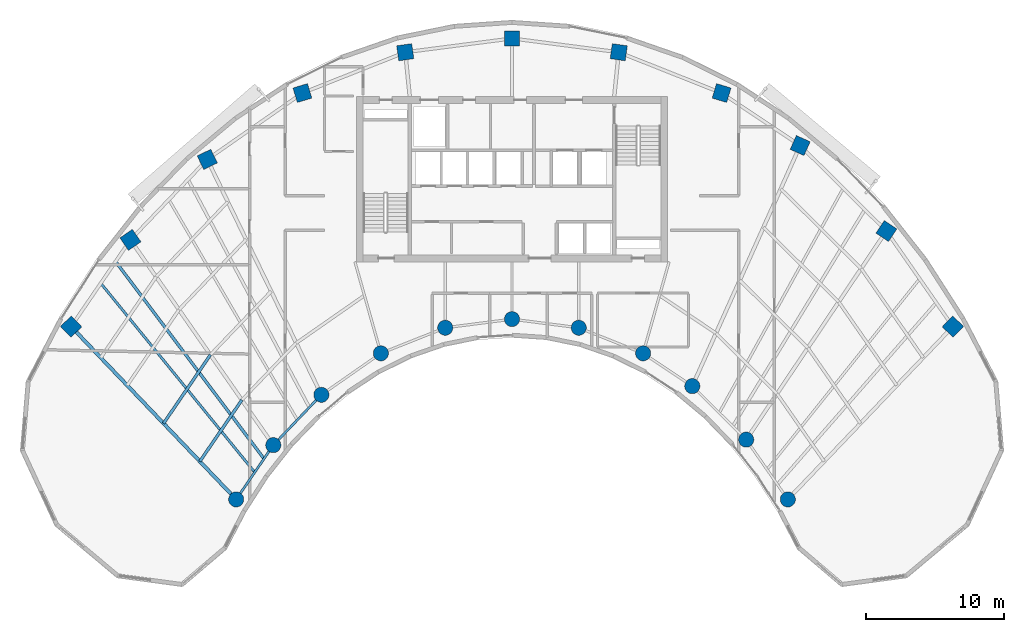
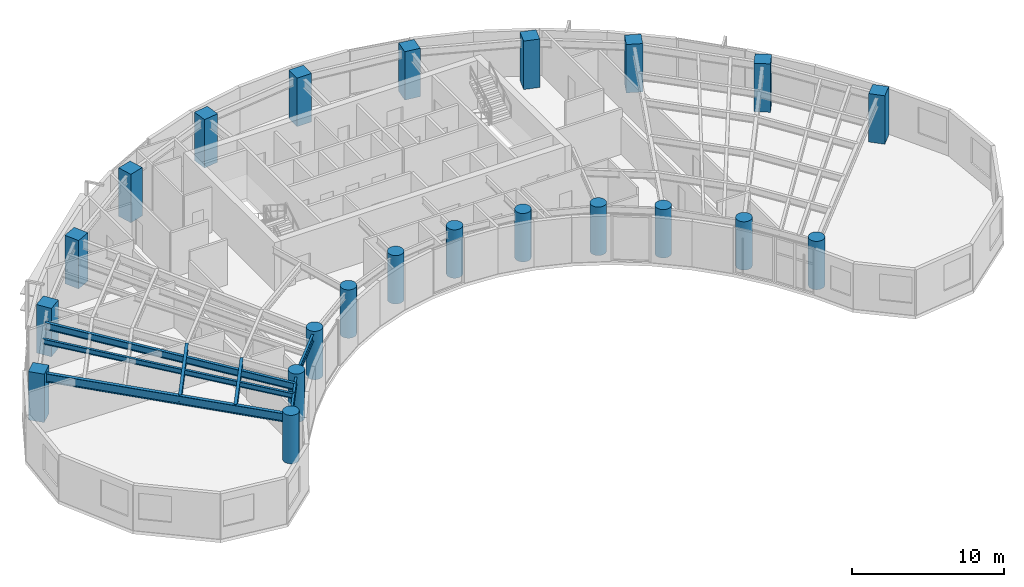
# One storey, part 1 of 13: 22 columns, 7 beams.
"""IFC4 building model written with IfcOpenShell, lengths in metres."""

from ifc_helpers import new_model, si_unit, direction, frame, origin, origin_2d, place, context, subcontext, project, spatial, rectangle, circle, i_section, extrude, source, transform, mapped, material, material_profile, profile_set, type_object, type_shapes, element, save


model = new_model("IFC4")

# Units and contexts
model_context = context("Model", 3, precision=1e-05, world=origin(), true_north=direction((0.0, 1.0)))
body_context = subcontext(model_context, "Body", "Model", "MODEL_VIEW")
ifc_project = project(units=[si_unit("LENGTHUNIT", "METRE"), si_unit("AREAUNIT", "SQUARE_METRE"), si_unit("VOLUMEUNIT", "CUBIC_METRE"), si_unit("PLANEANGLEUNIT", "RADIAN"), si_unit("MASSUNIT", "GRAM", prefix="KILO")], contexts=[model_context])

# Site, building, storey
site_placement = place(None, origin())
site = spatial("IfcSite", under=ifc_project, at=site_placement, CompositionType="ELEMENT")
building_placement = place(site_placement, origin())
building = spatial("IfcBuilding", under=site, at=building_placement, Name="Breltana Convention Tower", CompositionType="ELEMENT")
storey_placement = place(building_placement, frame((0.0, 0.0, 170.10009765625)))
storey = spatial("IfcBuildingStorey", under=building, at=storey_placement, Name="L41", CompositionType="ELEMENT", Elevation=170.10009765625)

# Columns
ifc_material_1 = material(Name="Concrete C60/75", Category="concrete")
ifc_material_profile_1 = material_profile(ifc_material_1, rectangle(XDim=1.10009765625, YDim=1.10009765625, at=origin_2d()), Name="RC-COL-1100X1100")
ifc_profile_set_1 = profile_set([ifc_material_profile_1], Name="Concrete C60/75")
column_type_1 = type_object("IfcColumnType", Name="COL-RC-1100", PredefinedType="COLUMN", material=ifc_profile_set_1)
shared_shape_1 = source(origin(), body_context, "Body", "SweptSolid", [
    extrude(rectangle(XDim=1.10009765625, YDim=1.10009765625, at=origin_2d()), origin(), (0.0, 0.0, 1.0), 3.89990234375),
])
for number, where, z_axis, x_axis, name in (
    (1, (16.0068359375, 55.494384765625, 0.0), (0.0, 0.0, 1.0), (-0.690756218984, 0.723087716626, 0.0), "L41 Tower Column R01-OUT"),
    (2, (20.310791015625, 61.78857421875, 0.0), (0.0, 0.0, 1.0), (-0.571143442153, 0.820850271661, 0.0), "L41 Tower Column R02-OUT"),
    (3, (25.8876953125, 67.626953125, 0.0), (0.0, 0.0, 1.0), (-0.436173672171, 0.899862504889, 0.0), "L41 Tower Column R03-OUT"),
    (4, (32.791015625, 72.4423828125, 0.0), (0.0, 0.0, 1.0), (-0.288697611798, 0.957420330337, 0.0), "L41 Tower Column R04-OUT"),
    (5, (40.253173828125, 75.404296875, 0.0), (0.0, 0.0, 1.0), (-0.143492621991, 0.98965138682, 0.0), "L41 Tower Column R05-OUT"),
    (6, (48.0, 76.404052734375, 0.0), (0.0, 0.0, 1.0), (0.0, 1.0, 0.0), "L41 Tower Column R06-OUT"),
    (7, (55.746826171875, 75.404296875, 0.0), (0.0, 0.0, 1.0), (0.143492621991, 0.98965138682, 0.0), "L41 Tower Column R07-OUT"),
    (8, (63.208984375, 72.4423828125, 0.0), (0.0, 0.0, 1.0), (0.288697611798, 0.957420330337, 0.0), "L41 Tower Column R08-OUT"),
    (9, (68.910400390625, 68.63330078125, 0.0), (0.0, 0.0, 1.0), (0.409126902895, 0.912477494148, 0.0), "L41 Tower Column R09-OUT"),
    (10, (75.166748046875, 62.43017578125, 0.0), (0.0, 0.0, 1.0), (0.55774510898, 0.830012285095, 0.0), "L41 Tower Column R10-OUT"),
    (11, (79.9931640625, 55.494384765625, 0.0), (0.0, 0.0, 1.0), (0.690756218984, 0.723087716626, 0.0), "L41 Tower Column R11-OUT"),
):
    element("IfcColumn", number, at=place(storey_placement, frame(where, z_axis=z_axis, x_axis=x_axis)), inside=storey, type_object=column_type_1, Name=name, PredefinedType="COLUMN", context=body_context, shape_type="MappedRepresentation", body=[
        mapped(shared_shape_1, transform((0.0, 0.0, 0.0), scale=1.0)),
    ])
ifc_material_2 = material(Name="Concrete C50/60", Category="concrete")
ifc_material_profile_2 = material_profile(ifc_material_2, circle(Radius=0.550048828125, at=origin_2d()), Name="RC-COL-D1100")
ifc_profile_set_2 = profile_set([ifc_material_profile_2], Name="Concrete C50/60")
column_type_2 = type_object("IfcColumnType", Name="COL-RC-D1100", PredefinedType="COLUMN", material=ifc_profile_set_2)
shared_shape_2 = source(origin(), body_context, "Body", "SweptSolid", [
    extrude(circle(Radius=0.550048828125, at=origin_2d()), origin(), (0.0, 0.0, 1.0), 3.89990234375),
])
for number, where, z_axis, x_axis, name in (
    (12, (27.984619140625, 42.95458984375, 0.0), (0.0, 0.0, 1.0), (-0.690756218984, 0.723087716626, 0.0), "L41 Tower Column R01-IN"),
    (13, (30.67724609375, 46.892333984375, 0.0), (0.0, 0.0, 1.0), (-0.571143442153, 0.820850271661, 0.0), "L41 Tower Column R02-IN"),
    (14, (34.166259765625, 50.544921875, 0.0), (0.0, 0.0, 1.0), (-0.436173672171, 0.899862504889, 0.0), "L41 Tower Column R03-IN"),
    (15, (38.485107421875, 53.5576171875, 0.0), (0.0, 0.0, 1.0), (-0.288697611798, 0.957420330337, 0.0), "L41 Tower Column R04-IN"),
    (16, (43.153564453125, 55.41064453125, 0.0), (0.0, 0.0, 1.0), (-0.143492621991, 0.98965138682, 0.0), "L41 Tower Column R05-IN"),
    (17, (48.0, 56.035888671875, 0.0), (0.0, 0.0, 1.0), (0.0, 1.0, 0.0), "L41 Tower Column R06-IN"),
    (18, (52.846435546875, 55.41064453125, 0.0), (0.0, 0.0, 1.0), (0.143492621991, 0.98965138682, 0.0), "L41 Tower Column R07-IN"),
    (19, (57.514892578125, 53.5576171875, 0.0), (0.0, 0.0, 1.0), (0.288697611798, 0.957420330337, 0.0), "L41 Tower Column R08-IN"),
    (20, (61.08203125, 51.174560546875, 0.0), (0.0, 0.0, 1.0), (0.409126902895, 0.912477494148, 0.0), "L41 Tower Column R09-IN"),
    (21, (64.995849609375, 47.293701171875, 0.0), (0.0, 0.0, 1.0), (0.55774510898, 0.830012285095, 0.0), "L41 Tower Column R10-IN"),
    (22, (68.015380859375, 42.95458984375, 0.0), (0.0, 0.0, 1.0), (0.690756218984, 0.723087716626, 0.0), "L41 Tower Column R11-IN"),
):
    element("IfcColumn", number, at=place(storey_placement, frame(where, z_axis=z_axis, x_axis=x_axis)), inside=storey, type_object=column_type_2, Name=name, PredefinedType="COLUMN", context=body_context, shape_type="MappedRepresentation", body=[
        mapped(shared_shape_2, transform((0.0, 0.0, 0.0), scale=1.0)),
    ])

# Beams
ifc_material_3 = material(Name="Steel ASTM A992 Grade 50", Category="steel")
ifc_material_profile_3 = material_profile(ifc_material_3, i_section(OverallWidth=0.179931640625, OverallDepth=0.4130859375, WebThickness=0.009765625, FlangeThickness=0.01611328125, at=origin_2d()), Name="W16X50")
ifc_profile_set_3 = profile_set([ifc_material_profile_3], Name="Steel ASTM A992 Grade 50")
beam_type_1 = type_object("IfcBeamType", Name="BM-JSG-08", PredefinedType="JOIST", material=ifc_profile_set_3)
shared_shape_3 = source(origin(), body_context, "Body", "SweptSolid", [
    extrude(i_section(OverallWidth=0.179931640625, OverallDepth=0.4130859375, WebThickness=0.009765625, FlangeThickness=0.01611328125, at=origin_2d()), origin(), (0.0, 0.0, 1.0), 17.691650390625),
])
type_shapes(beam_type_1, [shared_shape_3])
beam_1_placement = place(storey_placement, frame((29.330810546875, 44.923583984375, 3.443359375), z_axis=(-0.631476958478, 0.775394642044, 0.0), x_axis=(-0.775394642044, -0.631476958478, 0.0)))
element("IfcBeam", 23, at=beam_1_placement, inside=storey, type_object=beam_type_1, Name="L41 Mid-Bay Radial Trimmer 01", PredefinedType="JOIST", context=body_context, shape_type="MappedRepresentation", body=[
    mapped(shared_shape_3, transform((0.0, 0.0, 0.0), scale=1.0)),
])
ifc_material_profile_4 = material_profile(ifc_material_3, i_section(OverallWidth=0.214111328125, OverallDepth=0.549072265625, WebThickness=0.0146484375, FlangeThickness=0.023681640625, at=origin_2d()), Name="W21X93")
ifc_profile_set_4 = profile_set([ifc_material_profile_4], Name="Steel ASTM A992 Grade 50")
beam_type_2 = type_object("IfcBeamType", Name="BM-JSG-03", PredefinedType="JOIST", material=ifc_profile_set_4)
shared_shape_4 = source(origin(), body_context, "Body", "SweptSolid", [
    extrude(i_section(OverallWidth=0.214111328125, OverallDepth=0.549072265625, WebThickness=0.0146484375, FlangeThickness=0.023681640625, at=origin_2d()), origin(), (0.0, 0.0, 1.0), 17.9072265625),
])
beam_2_placement = place(storey_placement, frame((30.00390625, 45.907958984375, 3.37548828125), z_axis=(-0.601382105028, 0.798961553363, 0.0), x_axis=(-0.798961553363, -0.601382105028, 0.0)))
element("IfcBeam", 24, at=beam_2_placement, inside=storey, type_object=beam_type_2, Name="L41 Quarter-Bay Radial Trimmer 01", PredefinedType="JOIST", context=body_context, shape_type="MappedRepresentation", body=[
    mapped(shared_shape_4, transform((0.0, 0.0, 0.0), scale=1.0)),
])
shared_shape_5 = source(origin(), body_context, "Body", "SweptSolid", [
    extrude(i_section(OverallWidth=0.214111328125, OverallDepth=0.549072265625, WebThickness=0.0146484375, FlangeThickness=0.023681640625, at=origin_2d()), origin(), (0.0, 0.0, 1.0), 5.3984375),
])
beam_3_placement = place(storey_placement, frame((25.349365234375, 45.71337890625, 3.37548828125), z_axis=(0.564440705434, 0.825473615599, 0.0), x_axis=(-0.825473615599, 0.564440705434, 0.0)))
element("IfcBeam", 25, at=beam_3_placement, inside=storey, type_object=beam_type_2, Name="L41 Composite Floor Joist 01.1", PredefinedType="JOIST", context=body_context, shape_type="MappedRepresentation", body=[
    mapped(shared_shape_5, transform((0.0, 0.0, 0.0), scale=1.0)),
])
shared_shape_6 = source(origin(), body_context, "Body", "SweptSolid", [
    extrude(i_section(OverallWidth=0.214111328125, OverallDepth=0.549072265625, WebThickness=0.0146484375, FlangeThickness=0.023681640625, at=origin_2d()), origin(), (0.0, 0.0, 1.0), 6.0263671875),
])
beam_4_placement = place(storey_placement, frame((22.71435546875, 48.47216796875, 3.37548828125), z_axis=(0.564450071397, 0.825467211281, 0.0), x_axis=(-0.825467211281, 0.564450071397, 0.0)))
element("IfcBeam", 26, at=beam_4_placement, inside=storey, type_object=beam_type_2, Name="L41 Composite Floor Joist 01.2", PredefinedType="JOIST", context=body_context, shape_type="MappedRepresentation", body=[
    mapped(shared_shape_6, transform((0.0, 0.0, 0.0), scale=1.0)),
])
ifc_material_profile_5 = material_profile(ifc_material_3, i_section(OverallWidth=0.25390625, OverallDepth=0.68798828125, WebThickness=0.01318359375, FlangeThickness=0.02099609375, at=origin_2d()), Name="W27X102")
ifc_profile_set_5 = profile_set([ifc_material_profile_5], Name="Steel ASTM A992 Grade 50")
beam_type_3 = type_object("IfcBeamType", Name="BM-RG-W27X102", PredefinedType="USERDEFINED", material=ifc_profile_set_5)
shared_shape_7 = source(origin(), body_context, "Body", "SweptSolid", [
    extrude(i_section(OverallWidth=0.25390625, OverallDepth=0.68798828125, WebThickness=0.01318359375, FlangeThickness=0.02099609375, at=origin_2d()), origin(), (0.0, 0.0, 1.0), 17.341064453125),
])
type_shapes(beam_type_3, [shared_shape_7])
beam_5_placement = place(storey_placement, frame((27.984619140625, 42.95458984375, 3.305908203125), z_axis=(-0.690716462293, 0.723125693581, 0.0), x_axis=(-0.723125693581, -0.690716462293, 0.0)))
element("IfcBeam", 27, at=beam_5_placement, inside=storey, type_object=beam_type_3, Name="L41 Radial Floor Girder R01", ObjectType="GIRDER", PredefinedType="USERDEFINED", context=body_context, shape_type="MappedRepresentation", body=[
    mapped(shared_shape_7, transform((0.0, 0.0, 0.0), scale=1.0)),
])
ifc_material_profile_6 = material_profile(ifc_material_3, i_section(OverallWidth=0.166015625, OverallDepth=0.534912109375, WebThickness=0.01025390625, FlangeThickness=0.0166015625, at=origin_2d()), Name="W21X57")
ifc_profile_set_6 = profile_set([ifc_material_profile_6], Name="Steel ASTM A992 Grade 50")
beam_type_4 = type_object("IfcBeamType", Name="BM-BM-W21X57", PredefinedType="BEAM", material=ifc_profile_set_6)
shared_shape_8 = source(origin(), body_context, "Body", "SweptSolid", [
    extrude(i_section(OverallWidth=0.166015625, OverallDepth=0.534912109375, WebThickness=0.01025390625, FlangeThickness=0.0166015625, at=origin_2d()), origin(), (0.0, 0.0, 1.0), 4.770263671875),
])
beam_6_placement = place(storey_placement, frame((27.984619140625, 42.95458984375, 3.38232421875), z_axis=(0.564452719055, 0.82546540082, 0.0), x_axis=(-0.82546540082, 0.564452719055, 0.0)))
element("IfcBeam", 28, at=beam_6_placement, inside=storey, type_object=beam_type_4, Name="L41 Inner Ring Beam 01", PredefinedType="BEAM", context=body_context, shape_type="MappedRepresentation", body=[
    mapped(shared_shape_8, transform((0.0, 0.0, 0.0), scale=1.0)),
])
shared_shape_9 = source(origin(), body_context, "Body", "SweptSolid", [
    extrude(i_section(OverallWidth=0.166015625, OverallDepth=0.534912109375, WebThickness=0.01025390625, FlangeThickness=0.0166015625, at=origin_2d()), origin(), (0.0, 0.0, 1.0), 5.05126953125),
])
beam_7_placement = place(storey_placement, frame((30.67724609375, 46.892333984375, 3.38232421875), z_axis=(0.690729753845, 0.7231129975, 0.0), x_axis=(-0.7231129975, 0.690729753845, 0.0)))
element("IfcBeam", 29, at=beam_7_placement, inside=storey, type_object=beam_type_4, Name="L41 Inner Ring Beam 02", PredefinedType="BEAM", context=body_context, shape_type="MappedRepresentation", body=[
    mapped(shared_shape_9, transform((0.0, 0.0, 0.0), scale=1.0)),
])

save(model, "model.ifc")
